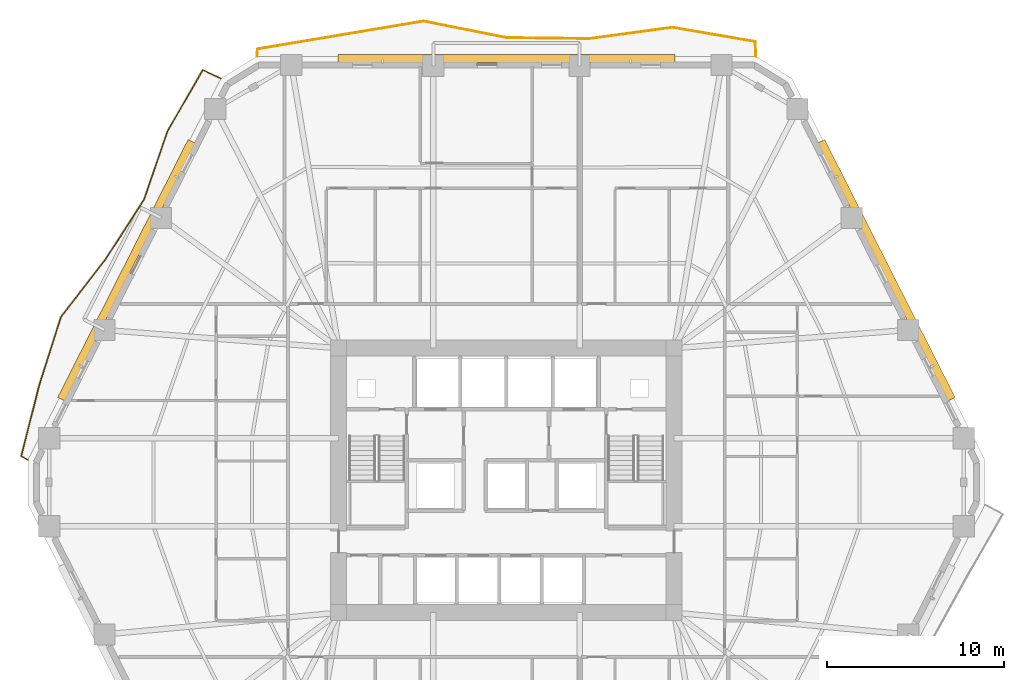
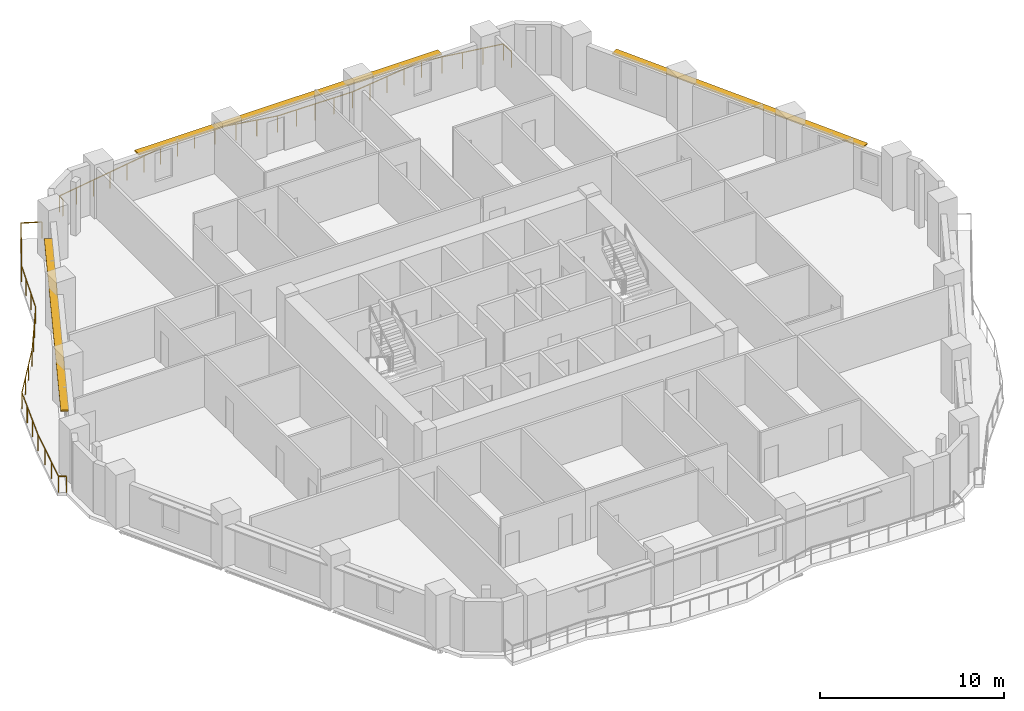
# One storey, part 14 of 14: 3 shading devices, 2 railings.
"""IFC4 building model written with IfcOpenShell, lengths in metres."""

from ifc_helpers import new_model, si_unit, direction, frame, origin, origin_2d, place, context, subcontext, project, spatial, rectangle, extrude, material, layer, layer_set, type_object, element, save


model = new_model("IFC4")

# Units and contexts
model_context = context("Model", 3, precision=1e-05, world=origin(), true_north=direction((0.0, 1.0)))
body_context = subcontext(model_context, "Body", "Model", "MODEL_VIEW")
ifc_project = project(units=[si_unit("LENGTHUNIT", "METRE"), si_unit("AREAUNIT", "SQUARE_METRE"), si_unit("VOLUMEUNIT", "CUBIC_METRE"), si_unit("PLANEANGLEUNIT", "RADIAN"), si_unit("MASSUNIT", "GRAM", prefix="KILO")], contexts=[model_context])

# Site, building, storey
site_placement = place(None, origin())
site = spatial("IfcSite", under=ifc_project, at=site_placement, CompositionType="ELEMENT")
building_placement = place(site_placement, origin())
building = spatial("IfcBuilding", under=site, at=building_placement, Name="Cinnabar Lancet Tower", CompositionType="ELEMENT")
storey_placement = place(building_placement, frame((0.0, 0.0, 53.300048828125)))
storey = spatial("IfcBuildingStorey", under=building, at=storey_placement, Name="L13", CompositionType="ELEMENT", Elevation=53.300048828125)

# Railings
ifc_material_1 = material(Name="Laminated safety glass and bronze stainless steel balustrade", Category="steel")
railing_type = type_object("IfcRailingType", Name="ENV-RLG-BAL-1100", PredefinedType="BALUSTRADE", material=ifc_material_1)
railing_1_placement = place(storey_placement, frame((46.4560546875, 49.800048828125, 0.0)))
element("IfcRailing", 1, at=railing_1_placement, inside=storey, type_object=railing_type, Name="L13 Face 4 Wave Balcony Balustrade", PredefinedType="BALUSTRADE", context=body_context, shape_type="SweptSolid", body=[
    extrude(rectangle(XDim=0.048095703125, YDim=0.048095703125, at=origin_2d()), frame((0.0, 0.0, 1.076171875), z_axis=(-0.041101669352, 0.99915496935, 0.0), x_axis=(-0.99915496935, -0.041101669352, 0.0)), (0.0, 0.0, 1.0), 0.82568359375),
    extrude(rectangle(XDim=0.048095703125, YDim=0.048095703125, at=origin_2d()), frame((-0.033935546875, 0.824951171875, 1.076171875), z_axis=(-0.985739341419, 0.168279383106, 0.0), x_axis=(-0.168279383106, -0.985739341419, 0.0)), (0.0, 0.0, 1.0), 4.74267578125),
    extrude(rectangle(XDim=0.048095703125, YDim=0.048095703125, at=origin_2d()), frame((-4.708984375, 1.623046875, 1.076171875), z_axis=(-0.990928467628, -0.134390371843, 0.0), x_axis=(0.134390371843, -0.990928467628, 0.0)), (0.0, 0.0, 1.0), 4.7177734375),
    extrude(rectangle(XDim=0.048095703125, YDim=0.048095703125, at=origin_2d()), frame((-9.384033203125, 0.989013671875, 1.076171875), z_axis=(-0.999923322308, 0.012383436661, 0.0), x_axis=(-0.012383436661, -0.999923322308, 0.0)), (0.0, 0.0, 1.0), 4.67236328125),
    extrude(rectangle(XDim=0.048095703125, YDim=0.048095703125, at=origin_2d()), frame((-14.05615234375, 1.046875, 1.076171875), z_axis=(-0.980806676164, 0.194982727419, 0.0), x_axis=(-0.194982727419, -0.980806676164, 0.0)), (0.0, 0.0, 1.0), 4.764404296875),
    extrude(rectangle(XDim=0.048095703125, YDim=0.048095703125, at=origin_2d()), frame((-18.72900390625, 1.975830078125, 1.076171875), z_axis=(-0.986191310048, -0.165610084189, 0.0), x_axis=(0.165610084189, -0.986191310048, 0.0)), (0.0, 0.0, 1.0), 4.739501953125),
    extrude(rectangle(XDim=0.048095703125, YDim=0.048095703125, at=origin_2d()), frame((-23.403076171875, 1.19091796875, 1.076171875), z_axis=(-0.986359090601, -0.164607850325, 0.0), x_axis=(0.164607850325, -0.986359090601, 0.0)), (0.0, 0.0, 1.0), 4.73876953125),
    extrude(rectangle(XDim=0.048095703125, YDim=0.048095703125, at=origin_2d()), frame((-28.0771484375, 0.410888671875, 1.076171875), z_axis=(-0.084662262562, -0.996409705542, 0.0), x_axis=(0.996409705542, -0.084662262562, 0.0)), (0.0, 0.0, 1.0), 0.412353515625),
    extrude(rectangle(XDim=0.0419921875, YDim=0.0419921875, at=origin_2d()), origin(), (0.0, 0.0, 1.0), 1.052001953125),
    extrude(rectangle(XDim=0.0419921875, YDim=0.0419921875, at=origin_2d()), frame((-0.033935546875, 0.824951171875, 0.0)), (0.0, 0.0, 1.0), 1.052001953125),
    extrude(rectangle(XDim=0.0419921875, YDim=0.0419921875, at=origin_2d()), frame((-1.20263671875, 1.0244140625, 0.0)), (0.0, 0.0, 1.0), 1.052001953125),
    extrude(rectangle(XDim=0.0419921875, YDim=0.0419921875, at=origin_2d()), frame((-2.37158203125, 1.22412109375, 0.0)), (0.0, 0.0, 1.0), 1.052001953125),
    extrude(rectangle(XDim=0.0419921875, YDim=0.0419921875, at=origin_2d()), frame((-3.540283203125, 1.423583984375, 0.0)), (0.0, 0.0, 1.0), 1.052001953125),
    extrude(rectangle(XDim=0.0419921875, YDim=0.0419921875, at=origin_2d()), frame((-4.708984375, 1.623046875, 0.0)), (0.0, 0.0, 1.0), 1.052001953125),
    extrude(rectangle(XDim=0.0419921875, YDim=0.0419921875, at=origin_2d()), frame((-5.877685546875, 1.464599609375, 0.0)), (0.0, 0.0, 1.0), 1.052001953125),
    extrude(rectangle(XDim=0.0419921875, YDim=0.0419921875, at=origin_2d()), frame((-7.04638671875, 1.30615234375, 0.0)), (0.0, 0.0, 1.0), 1.052001953125),
    extrude(rectangle(XDim=0.0419921875, YDim=0.0419921875, at=origin_2d()), frame((-8.21533203125, 1.1474609375, 0.0)), (0.0, 0.0, 1.0), 1.052001953125),
    extrude(rectangle(XDim=0.0419921875, YDim=0.0419921875, at=origin_2d()), frame((-9.384033203125, 0.989013671875, 0.0)), (0.0, 0.0, 1.0), 1.052001953125),
    extrude(rectangle(XDim=0.0419921875, YDim=0.0419921875, at=origin_2d()), frame((-10.552001953125, 1.00341796875, 0.0)), (0.0, 0.0, 1.0), 1.052001953125),
    extrude(rectangle(XDim=0.0419921875, YDim=0.0419921875, at=origin_2d()), frame((-11.72021484375, 1.01806640625, 0.0)), (0.0, 0.0, 1.0), 1.052001953125),
    extrude(rectangle(XDim=0.0419921875, YDim=0.0419921875, at=origin_2d()), frame((-12.88818359375, 1.032470703125, 0.0)), (0.0, 0.0, 1.0), 1.052001953125),
    extrude(rectangle(XDim=0.0419921875, YDim=0.0419921875, at=origin_2d()), frame((-14.05615234375, 1.046875, 0.0)), (0.0, 0.0, 1.0), 1.052001953125),
    extrude(rectangle(XDim=0.0419921875, YDim=0.0419921875, at=origin_2d()), frame((-15.224365234375, 1.279052734375, 0.0)), (0.0, 0.0, 1.0), 1.052001953125),
    extrude(rectangle(XDim=0.0419921875, YDim=0.0419921875, at=origin_2d()), frame((-16.392578125, 1.51123046875, 0.0)), (0.0, 0.0, 1.0), 1.052001953125),
    extrude(rectangle(XDim=0.0419921875, YDim=0.0419921875, at=origin_2d()), frame((-17.560791015625, 1.74365234375, 0.0)), (0.0, 0.0, 1.0), 1.052001953125),
    extrude(rectangle(XDim=0.0419921875, YDim=0.0419921875, at=origin_2d()), frame((-18.72900390625, 1.975830078125, 0.0)), (0.0, 0.0, 1.0), 1.052001953125),
    extrude(rectangle(XDim=0.0419921875, YDim=0.0419921875, at=origin_2d()), frame((-19.8974609375, 1.779541015625, 0.0)), (0.0, 0.0, 1.0), 1.052001953125),
    extrude(rectangle(XDim=0.0419921875, YDim=0.0419921875, at=origin_2d()), frame((-21.06591796875, 1.58349609375, 0.0)), (0.0, 0.0, 1.0), 1.052001953125),
    extrude(rectangle(XDim=0.0419921875, YDim=0.0419921875, at=origin_2d()), frame((-22.234619140625, 1.38720703125, 0.0)), (0.0, 0.0, 1.0), 1.052001953125),
    extrude(rectangle(XDim=0.0419921875, YDim=0.0419921875, at=origin_2d()), frame((-23.403076171875, 1.19091796875, 0.0)), (0.0, 0.0, 1.0), 1.052001953125),
    extrude(rectangle(XDim=0.0419921875, YDim=0.0419921875, at=origin_2d()), frame((-24.571533203125, 0.995849609375, 0.0)), (0.0, 0.0, 1.0), 1.052001953125),
    extrude(rectangle(XDim=0.0419921875, YDim=0.0419921875, at=origin_2d()), frame((-25.740234375, 0.80078125, 0.0)), (0.0, 0.0, 1.0), 1.052001953125),
    extrude(rectangle(XDim=0.0419921875, YDim=0.0419921875, at=origin_2d()), frame((-26.90869140625, 0.60595703125, 0.0)), (0.0, 0.0, 1.0), 1.052001953125),
    extrude(rectangle(XDim=0.0419921875, YDim=0.0419921875, at=origin_2d()), frame((-28.0771484375, 0.410888671875, 0.0)), (0.0, 0.0, 1.0), 1.052001953125),
    extrude(rectangle(XDim=0.0419921875, YDim=0.0419921875, at=origin_2d()), frame((-28.112060546875, 0.0, 0.0)), (0.0, 0.0, 1.0), 1.052001953125),
])
railing_2_placement = place(storey_placement, frame((16.31201171875, 48.551025390625, 0.0)))
element("IfcRailing", 2, at=railing_2_placement, inside=storey, type_object=railing_type, Name="L13 Face 5 Wave Balcony Balustrade", PredefinedType="BALUSTRADE", context=body_context, shape_type="SweptSolid", body=[
    extrude(rectangle(XDim=0.048095703125, YDim=0.048095703125, at=origin_2d()), frame((0.0, 0.0, 1.076171875), z_axis=(-0.904475632568, 0.426525298301, 0.0), x_axis=(-0.426525298301, -0.904475632568, 0.0)), (0.0, 0.0, 1.0), 1.1298828125),
    extrude(rectangle(XDim=0.048095703125, YDim=0.048095703125, at=origin_2d()), frame((-1.02197265625, 0.48193359375, 1.076171875), z_axis=(-0.497631942274, -0.867388292536, 0.0), x_axis=(0.867388292536, -0.497631942274, 0.0)), (0.0, 0.0, 1.0), 4.01318359375),
    extrude(rectangle(XDim=0.048095703125, YDim=0.048095703125, at=origin_2d()), frame((-3.01904296875, -2.9990234375, 1.076171875), z_axis=(-0.324308895707, -0.945951235617, 0.0), x_axis=(0.945951235617, -0.324308895707, 0.0)), (0.0, 0.0, 1.0), 4.045654296875),
    extrude(rectangle(XDim=0.048095703125, YDim=0.048095703125, at=origin_2d()), frame((-4.3310546875, -6.825927734375, 1.076171875), z_axis=(-0.541777478979, -0.840521958828, 0.0), x_axis=(0.840521958828, -0.541777478979, 0.0)), (0.0, 0.0, 1.0), 4.02734375),
    extrude(rectangle(XDim=0.048095703125, YDim=0.048095703125, at=origin_2d()), frame((-6.512939453125, -10.2109375, 1.076171875), z_axis=(-0.612356650847, -0.790581641681, 0.0), x_axis=(0.790581641681, -0.612356650847, 0.0)), (0.0, 0.0, 1.0), 4.079345703125),
    extrude(rectangle(XDim=0.048095703125, YDim=0.048095703125, at=origin_2d()), frame((-9.010986328125, -13.43603515625, 1.076171875), z_axis=(-0.303111771457, -0.952955011532, 0.0), x_axis=(0.952955011532, -0.303111771457, 0.0)), (0.0, 0.0, 1.0), 4.057861328125),
    extrude(rectangle(XDim=0.048095703125, YDim=0.048095703125, at=origin_2d()), frame((-10.240966796875, -17.302978515625, 1.076171875), z_axis=(-0.245975638395, -0.969276010905, 0.0), x_axis=(0.969276010905, -0.245975638395, 0.0)), (0.0, 0.0, 1.0), 4.106201171875),
    extrude(rectangle(XDim=0.048095703125, YDim=0.048095703125, at=origin_2d()), frame((-11.2509765625, -21.282958984375, 1.076171875), z_axis=(0.861073201099, -0.508481014737, 0.0), x_axis=(0.508481014737, 0.861073201099, 0.0)), (0.0, 0.0, 1.0), 0.4306640625),
    extrude(rectangle(XDim=0.0419921875, YDim=0.0419921875, at=origin_2d()), origin(), (0.0, 0.0, 1.0), 1.052001953125),
    extrude(rectangle(XDim=0.0419921875, YDim=0.0419921875, at=origin_2d()), frame((-1.02197265625, 0.48193359375, 0.0)), (0.0, 0.0, 1.0), 1.052001953125),
    extrude(rectangle(XDim=0.0419921875, YDim=0.0419921875, at=origin_2d()), frame((-1.687744140625, -0.678466796875, 0.0)), (0.0, 0.0, 1.0), 1.052001953125),
    extrude(rectangle(XDim=0.0419921875, YDim=0.0419921875, at=origin_2d()), frame((-2.353271484375, -1.838623046875, 0.0)), (0.0, 0.0, 1.0), 1.052001953125),
    extrude(rectangle(XDim=0.0419921875, YDim=0.0419921875, at=origin_2d()), frame((-3.01904296875, -2.9990234375, 0.0)), (0.0, 0.0, 1.0), 1.052001953125),
    extrude(rectangle(XDim=0.0419921875, YDim=0.0419921875, at=origin_2d()), frame((-3.456298828125, -4.274658203125, 0.0)), (0.0, 0.0, 1.0), 1.052001953125),
    extrude(rectangle(XDim=0.0419921875, YDim=0.0419921875, at=origin_2d()), frame((-3.893798828125, -5.55029296875, 0.0)), (0.0, 0.0, 1.0), 1.052001953125),
    extrude(rectangle(XDim=0.0419921875, YDim=0.0419921875, at=origin_2d()), frame((-4.3310546875, -6.825927734375, 0.0)), (0.0, 0.0, 1.0), 1.052001953125),
    extrude(rectangle(XDim=0.0419921875, YDim=0.0419921875, at=origin_2d()), frame((-5.058349609375, -7.954345703125, 0.0)), (0.0, 0.0, 1.0), 1.052001953125),
    extrude(rectangle(XDim=0.0419921875, YDim=0.0419921875, at=origin_2d()), frame((-5.78564453125, -9.08251953125, 0.0)), (0.0, 0.0, 1.0), 1.052001953125),
    extrude(rectangle(XDim=0.0419921875, YDim=0.0419921875, at=origin_2d()), frame((-6.512939453125, -10.2109375, 0.0)), (0.0, 0.0, 1.0), 1.052001953125),
    extrude(rectangle(XDim=0.0419921875, YDim=0.0419921875, at=origin_2d()), frame((-7.345703125, -11.285888671875, 0.0)), (0.0, 0.0, 1.0), 1.052001953125),
    extrude(rectangle(XDim=0.0419921875, YDim=0.0419921875, at=origin_2d()), frame((-8.17822265625, -12.361083984375, 0.0)), (0.0, 0.0, 1.0), 1.052001953125),
    extrude(rectangle(XDim=0.0419921875, YDim=0.0419921875, at=origin_2d()), frame((-9.010986328125, -13.43603515625, 0.0)), (0.0, 0.0, 1.0), 1.052001953125),
    extrude(rectangle(XDim=0.0419921875, YDim=0.0419921875, at=origin_2d()), frame((-9.4208984375, -14.72509765625, 0.0)), (0.0, 0.0, 1.0), 1.052001953125),
    extrude(rectangle(XDim=0.0419921875, YDim=0.0419921875, at=origin_2d()), frame((-9.8310546875, -16.013916015625, 0.0)), (0.0, 0.0, 1.0), 1.052001953125),
    extrude(rectangle(XDim=0.0419921875, YDim=0.0419921875, at=origin_2d()), frame((-10.240966796875, -17.302978515625, 0.0)), (0.0, 0.0, 1.0), 1.052001953125),
    extrude(rectangle(XDim=0.0419921875, YDim=0.0419921875, at=origin_2d()), frame((-10.57763671875, -18.629638671875, 0.0)), (0.0, 0.0, 1.0), 1.052001953125),
    extrude(rectangle(XDim=0.0419921875, YDim=0.0419921875, at=origin_2d()), frame((-10.914306640625, -19.956298828125, 0.0)), (0.0, 0.0, 1.0), 1.052001953125),
    extrude(rectangle(XDim=0.0419921875, YDim=0.0419921875, at=origin_2d()), frame((-11.2509765625, -21.282958984375, 0.0)), (0.0, 0.0, 1.0), 1.052001953125),
    extrude(rectangle(XDim=0.0419921875, YDim=0.0419921875, at=origin_2d()), frame((-10.880126953125, -21.501953125, 0.0)), (0.0, 0.0, 1.0), 1.052001953125),
])

# Shading devices
ifc_material_2 = material(Name="Pale limestone architectural aluminium sunshade", Category="masonry")
ifc_layer = layer(ifc_material_2, 0.080078125)
ifc_layer_set = layer_set([ifc_layer], Name="Pale limestone architectural aluminium sunshade")
shading_device_type = type_object("IfcShadingDeviceType", Name="ENV-SHD-LVR-450", PredefinedType="JALOUSIE", material=ifc_layer_set)
shading_device_1_placement = place(storey_placement, frame((53.81005859375, 37.743896484375, 2.639892578125), z_axis=(0.0, 0.0, 1.0), x_axis=(-0.451500573218, 0.892270829056, 0.0)))
element("IfcShadingDevice", 3, at=shading_device_1_placement, inside=storey, type_object=shading_device_type, Name="L13 Face 3 Horizontal Sunshade Canopy", PredefinedType="JALOUSIE", context=body_context, shape_type="SweptSolid", body=[
    extrude(rectangle(XDim=16.279052734375, YDim=0.449951171875, at=origin_2d()), origin(), (0.0, 0.0, 1.0), 0.080078125),
])
shading_device_2_placement = place(storey_placement, frame((32.39990234375, 49.669921875, 2.639892578125), z_axis=(0.0, 0.0, 1.0), x_axis=(-1.0, 0.0, 0.0)))
element("IfcShadingDevice", 4, at=shading_device_2_placement, inside=storey, type_object=shading_device_type, Name="L13 Face 4 Horizontal Sunshade Canopy", PredefinedType="JALOUSIE", context=body_context, shape_type="SweptSolid", body=[
    extrude(rectangle(XDim=18.993896484375, YDim=0.449951171875, at=origin_2d()), origin(), (0.0, 0.0, 1.0), 0.080078125),
])
shading_device_3_placement = place(storey_placement, frame((10.989990234375, 37.743896484375, 2.639892578125), z_axis=(0.0, 0.0, 1.0), x_axis=(-0.451500573218, -0.892270829056, 0.0)))
element("IfcShadingDevice", 5, at=shading_device_3_placement, inside=storey, type_object=shading_device_type, Name="L13 Face 5 Horizontal Sunshade Canopy", PredefinedType="JALOUSIE", context=body_context, shape_type="SweptSolid", body=[
    extrude(rectangle(XDim=16.279052734375, YDim=0.449951171875, at=origin_2d()), origin(), (0.0, 0.0, 1.0), 0.080078125),
])

save(model, "model.ifc")
